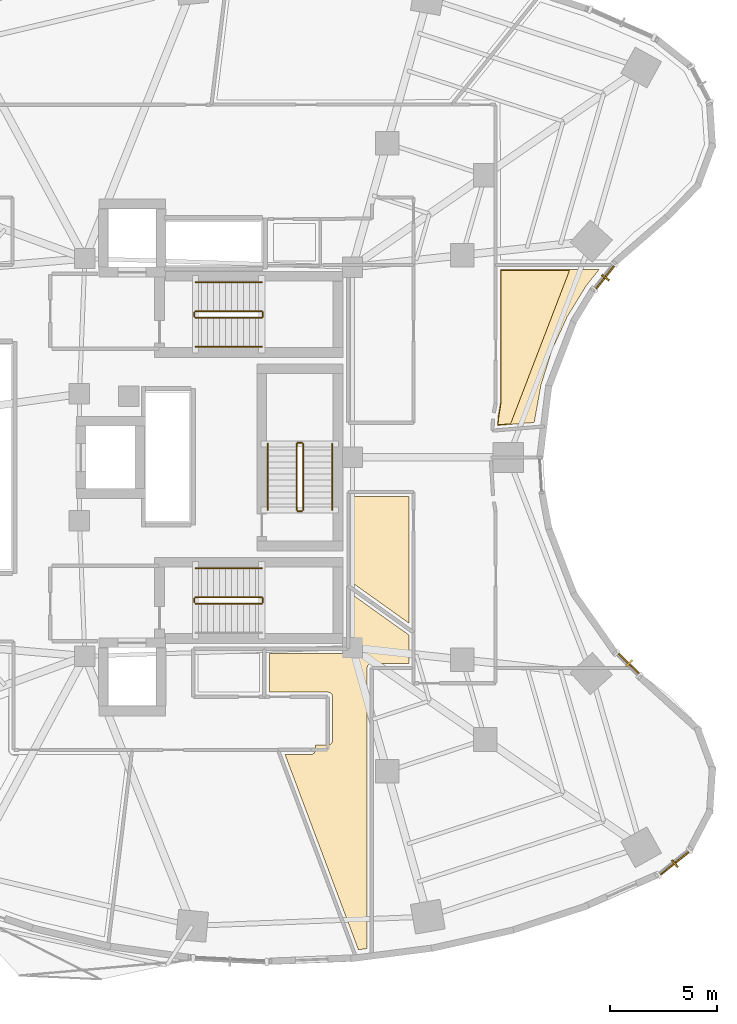
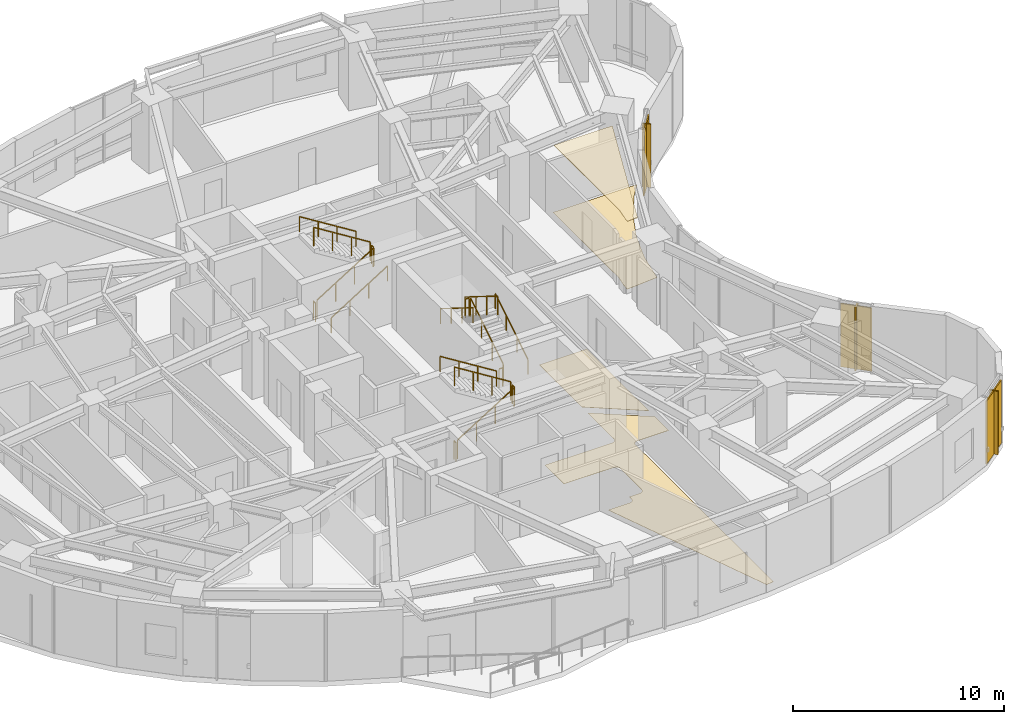
# One storey, part 15 of 16: 17 railings, 6 shading devices, 4 coverings.
"""IFC4 building model written with IfcOpenShell, lengths in metres."""

from ifc_helpers import new_model, si_unit, direction, frame, origin, origin_2d, place, context, subcontext, project, spatial, polyline, rectangle, outline, extrude, material, layer, layer_set, type_object, element, save


model = new_model("IFC4")

# Units and contexts
model_context = context("Model", 3, precision=1e-05, world=origin(), true_north=direction((0.0, 1.0)))
body_context = subcontext(model_context, "Body", "Model", "MODEL_VIEW")
ifc_project = project(units=[si_unit("LENGTHUNIT", "METRE"), si_unit("AREAUNIT", "SQUARE_METRE"), si_unit("VOLUMEUNIT", "CUBIC_METRE"), si_unit("PLANEANGLEUNIT", "RADIAN"), si_unit("MASSUNIT", "GRAM", prefix="KILO")], contexts=[model_context])

# Site, building, storey
site_placement = place(None, origin())
site = spatial("IfcSite", under=ifc_project, at=site_placement, CompositionType="ELEMENT")
building_placement = place(site_placement, origin())
building = spatial("IfcBuilding", under=site, at=building_placement, Name="Korentha Bioscience Tower", CompositionType="ELEMENT")
storey_placement = place(building_placement, frame((0.0, 0.0, 55.199951171875)))
storey = spatial("IfcBuildingStorey", under=building, at=storey_placement, Name="L12", CompositionType="ELEMENT", Elevation=55.199951171875)

# Railings
ifc_material_1 = material(Name="Stainless Steel 304", Category="steel")
railing_type_1 = type_object("IfcRailingType", Name="Brushed Stainless Stair Handrail 900", PredefinedType="HANDRAIL", material=ifc_material_1)
railing_1_placement = place(storey_placement, frame((30.25, 32.14990234375, 0.175048828125)))
element("IfcRailing", 1, at=railing_1_placement, inside=storey, type_object=railing_type_1, Name="L12 ST-1 stair handrail 1", PredefinedType="HANDRAIL", context=body_context, shape_type="SweptSolid", body=[
    extrude(rectangle(XDim=0.048095703125, YDim=0.048095703125, at=origin_2d()), frame((0.0, 0.0, 0.8759765625), z_axis=(0.847998304005, 0.0, 0.529998940003), x_axis=(0.0, 1.0, 0.0)), (0.0, 0.0, 1.0), 3.632080078125),
    extrude(rectangle(XDim=0.0419921875, YDim=0.0419921875, at=origin_2d()), origin(), (0.0, 0.0, 1.0), 0.851806640625),
    extrude(rectangle(XDim=0.0419921875, YDim=0.0419921875, at=origin_2d()), frame((1.026611328125, 0.0, 0.6416015625)), (0.0, 0.0, 1.0), 0.851806640625),
    extrude(rectangle(XDim=0.0419921875, YDim=0.0419921875, at=origin_2d()), frame((2.053466796875, 0.0, 1.283447265625)), (0.0, 0.0, 1.0), 0.851806640625),
    extrude(rectangle(XDim=0.0419921875, YDim=0.0419921875, at=origin_2d()), frame((3.080078125, 0.0, 1.925048828125)), (0.0, 0.0, 1.0), 0.851806640625),
])
for number, where, name in (
    (2, (33.330078125, 35.14990234375, 2.275146484375), "L12 ST-1 stair handrail 2"),
    (3, (33.330078125, 21.85009765625, 2.275146484375), "L12 ST-2 stair handrail 2"),
):
    element("IfcRailing", number, at=place(storey_placement, frame(where)), inside=storey, type_object=railing_type_1, Name=name, PredefinedType="HANDRAIL", context=body_context, shape_type="SweptSolid", body=[
        extrude(rectangle(XDim=0.048095703125, YDim=0.048095703125, at=origin_2d()), frame((0.0, 0.0, 0.8759765625), z_axis=(-0.848028513186, 0.0, 0.529950602248), x_axis=(0.0, -1.0, 0.0)), (0.0, 0.0, 1.0), 3.632080078125),
        extrude(rectangle(XDim=0.0419921875, YDim=0.0419921875, at=origin_2d()), origin(), (0.0, 0.0, 1.0), 0.851806640625),
        extrude(rectangle(XDim=0.0419921875, YDim=0.0419921875, at=origin_2d()), frame((-1.026611328125, 0.0, 0.6416015625)), (0.0, 0.0, 1.0), 0.851806640625),
        extrude(rectangle(XDim=0.0419921875, YDim=0.0419921875, at=origin_2d()), frame((-2.053466796875, 0.0, 1.283203125)), (0.0, 0.0, 1.0), 0.851806640625),
        extrude(rectangle(XDim=0.0419921875, YDim=0.0419921875, at=origin_2d()), frame((-3.080078125, 0.0, 1.9248046875)), (0.0, 0.0, 1.0), 0.851806640625),
    ])
railing_2_placement = place(storey_placement, frame((36.60009765625, 24.550048828125, 0.175048828125)))
element("IfcRailing", 4, at=railing_2_placement, inside=storey, type_object=railing_type_1, Name="L12 ST-3 stair handrail 1", PredefinedType="HANDRAIL", context=body_context, shape_type="SweptSolid", body=[
    extrude(rectangle(XDim=0.048095703125, YDim=0.048095703125, at=origin_2d()), frame((0.0, 0.0, 0.8759765625), z_axis=(0.0, 0.847979421464, 0.530029150871), x_axis=(-1.0, 0.0, 0.0)), (0.0, 0.0, 1.0), 3.632080078125),
    extrude(rectangle(XDim=0.0419921875, YDim=0.0419921875, at=origin_2d()), origin(), (0.0, 0.0, 1.0), 0.851806640625),
    extrude(rectangle(XDim=0.0419921875, YDim=0.0419921875, at=origin_2d()), frame((0.0, 1.026611328125, 0.6416015625)), (0.0, 0.0, 1.0), 0.851806640625),
    extrude(rectangle(XDim=0.0419921875, YDim=0.0419921875, at=origin_2d()), frame((0.0, 2.05322265625, 1.283447265625)), (0.0, 0.0, 1.0), 0.851806640625),
    extrude(rectangle(XDim=0.0419921875, YDim=0.0419921875, at=origin_2d()), frame((0.0, 3.079833984375, 1.925048828125)), (0.0, 0.0, 1.0), 0.851806640625),
])
railing_3_placement = place(storey_placement, frame((33.60009765625, 27.6298828125, 2.275146484375)))
element("IfcRailing", 5, at=railing_3_placement, inside=storey, type_object=railing_type_1, Name="L12 ST-3 stair handrail 2", PredefinedType="HANDRAIL", context=body_context, shape_type="SweptSolid", body=[
    extrude(rectangle(XDim=0.048095703125, YDim=0.048095703125, at=origin_2d()), frame((0.0, 0.0, 0.8759765625), z_axis=(0.0, -0.848009633417, 0.529980812513), x_axis=(1.0, 0.0, 0.0)), (0.0, 0.0, 1.0), 3.6318359375),
    extrude(rectangle(XDim=0.0419921875, YDim=0.0419921875, at=origin_2d()), origin(), (0.0, 0.0, 1.0), 0.851806640625),
    extrude(rectangle(XDim=0.0419921875, YDim=0.0419921875, at=origin_2d()), frame((0.0, -1.026611328125, 0.6416015625)), (0.0, 0.0, 1.0), 0.851806640625),
    extrude(rectangle(XDim=0.0419921875, YDim=0.0419921875, at=origin_2d()), frame((0.0, -2.05322265625, 1.283203125)), (0.0, 0.0, 1.0), 0.851806640625),
    extrude(rectangle(XDim=0.0419921875, YDim=0.0419921875, at=origin_2d()), frame((0.0, -3.079833984375, 1.9248046875)), (0.0, 0.0, 1.0), 0.851806640625),
])

# Covering
ifc_material_2 = material(Name="Antimicrobial Mineral Fibre Board", Category="gypsum")
ifc_layer_1 = layer(ifc_material_2, 0.034912109375, Name="Antimicrobial Mineral Fibre Board")
ifc_layer_set_1 = layer_set([ifc_layer_1], Name="Antimicrobial Mineral Fibre Board (CL-MF35)")
covering_type_1 = type_object("IfcCoveringType", Name="Mineral-Fibre Cleanroom Suspended Ceiling 35", PredefinedType="CEILING", material=ifc_layer_set_1)
covering_1_placement = place(storey_placement, frame((0.0, 0.0, 3.864990234375)))
element("IfcCovering", 6, at=covering_1_placement, inside=storey, type_object=covering_type_1, Name="L12 Staff Kitchenette and Dining Nook 11 Acoustic Ceiling", PredefinedType="CEILING", context=body_context, shape_type="SweptSolid", body=[
    extrude(outline(polyline([(44.339599609375, 28.763916015625), (44.4599609375, 29.529541015625), (44.4599609375, 35.697998046875), (47.64697265625, 35.697998046875), (44.906982421875, 28.56298828125), (44.32421875, 28.514892578125), (44.339599609375, 28.763916015625)])), origin(), (0.0, 0.0, 1.0), 0.03515625),
])

# Railings
ifc_material_3 = material(Name="Painted Steel S275", Category="steel")
railing_type_2 = type_object("IfcRailingType", Name="Painted Steel Stair Well Guardrail 1100", PredefinedType="GUARDRAIL", material=ifc_material_3)
railing_4_placement = place(storey_placement, frame((30.25, 33.5, 0.175048828125)))
element("IfcRailing", 7, at=railing_4_placement, inside=storey, type_object=railing_type_2, Name="L12 ST-1 stair guard 1", PredefinedType="GUARDRAIL", context=body_context, shape_type="SweptSolid", body=[
    extrude(rectangle(XDim=0.048095703125, YDim=0.048095703125, at=origin_2d()), frame((0.0, 0.0, 1.076171875), z_axis=(0.847998304005, 0.0, 0.529998940003), x_axis=(0.0, 1.0, 0.0)), (0.0, 0.0, 1.0), 3.632080078125),
    extrude(rectangle(XDim=0.0419921875, YDim=0.0419921875, at=origin_2d()), origin(), (0.0, 0.0, 1.0), 1.052001953125),
    extrude(rectangle(XDim=0.0419921875, YDim=0.0419921875, at=origin_2d()), frame((1.026611328125, 0.0, 0.6416015625)), (0.0, 0.0, 1.0), 1.052001953125),
    extrude(rectangle(XDim=0.0419921875, YDim=0.0419921875, at=origin_2d()), frame((2.053466796875, 0.0, 1.283447265625)), (0.0, 0.0, 1.0), 1.052001953125),
    extrude(rectangle(XDim=0.0419921875, YDim=0.0419921875, at=origin_2d()), frame((3.080078125, 0.0, 1.925048828125)), (0.0, 0.0, 1.0), 1.052001953125),
])
railing_5_placement = place(storey_placement, frame((33.3798828125, 33.550048828125, 2.10009765625)))
element("IfcRailing", 8, at=railing_5_placement, inside=storey, type_object=railing_type_2, Name="L12 ST-1 stair guard 2", PredefinedType="GUARDRAIL", context=body_context, shape_type="SweptSolid", body=[
    extrude(rectangle(XDim=0.048095703125, YDim=0.048095703125, at=origin_2d()), frame((0.0, 0.0, 1.076171875), z_axis=(0.0, 1.0, 0.0), x_axis=(-1.0, 0.0, 0.0)), (0.0, 0.0, 1.0), 0.199951171875),
    extrude(rectangle(XDim=0.0419921875, YDim=0.0419921875, at=origin_2d()), origin(), (0.0, 0.0, 1.0), 1.052001953125),
    extrude(rectangle(XDim=0.0419921875, YDim=0.0419921875, at=origin_2d()), frame((0.0, 0.199951171875, 0.0)), (0.0, 0.0, 1.0), 1.052001953125),
])
railing_6_placement = place(storey_placement, frame((33.330078125, 33.800048828125, 2.275146484375)))
element("IfcRailing", 9, at=railing_6_placement, inside=storey, type_object=railing_type_2, Name="L12 ST-1 stair guard 3", PredefinedType="GUARDRAIL", context=body_context, shape_type="SweptSolid", body=[
    extrude(rectangle(XDim=0.048095703125, YDim=0.048095703125, at=origin_2d()), frame((0.0, 0.0, 1.076171875), z_axis=(-0.848028513186, 0.0, 0.529950602248), x_axis=(0.0, -1.0, 0.0)), (0.0, 0.0, 1.0), 3.632080078125),
    extrude(rectangle(XDim=0.0419921875, YDim=0.0419921875, at=origin_2d()), origin(), (0.0, 0.0, 1.0), 1.052001953125),
    extrude(rectangle(XDim=0.0419921875, YDim=0.0419921875, at=origin_2d()), frame((-1.026611328125, 0.0, 0.6416015625)), (0.0, 0.0, 1.0), 1.052001953125),
    extrude(rectangle(XDim=0.0419921875, YDim=0.0419921875, at=origin_2d()), frame((-2.053466796875, 0.0, 1.283203125)), (0.0, 0.0, 1.0), 1.052001953125),
    extrude(rectangle(XDim=0.0419921875, YDim=0.0419921875, at=origin_2d()), frame((-3.080078125, 0.0, 1.9248046875)), (0.0, 0.0, 1.0), 1.052001953125),
])
railing_7_placement = place(storey_placement, frame((30.199951171875, 33.550048828125, 0.0)))
element("IfcRailing", 10, at=railing_7_placement, inside=storey, type_object=railing_type_2, Name="L12 ST-1 stair guard 4", PredefinedType="GUARDRAIL", context=body_context, shape_type="SweptSolid", body=[
    extrude(rectangle(XDim=0.048095703125, YDim=0.048095703125, at=origin_2d()), frame((0.0, 0.0, 1.076171875), z_axis=(0.0, 1.0, 0.0), x_axis=(-1.0, 0.0, 0.0)), (0.0, 0.0, 1.0), 0.199951171875),
    extrude(rectangle(XDim=0.0419921875, YDim=0.0419921875, at=origin_2d()), origin(), (0.0, 0.0, 1.0), 1.052001953125),
    extrude(rectangle(XDim=0.0419921875, YDim=0.0419921875, at=origin_2d()), frame((0.0, 0.199951171875, 0.0)), (0.0, 0.0, 1.0), 1.052001953125),
])
railing_8_placement = place(storey_placement, frame((30.25, 20.199951171875, 0.175048828125)))
element("IfcRailing", 11, at=railing_8_placement, inside=storey, type_object=railing_type_2, Name="L12 ST-2 stair guard 1", PredefinedType="GUARDRAIL", context=body_context, shape_type="SweptSolid", body=[
    extrude(rectangle(XDim=0.048095703125, YDim=0.048095703125, at=origin_2d()), frame((0.0, 0.0, 1.076171875), z_axis=(0.847998304005, 0.0, 0.529998940003), x_axis=(0.0, 1.0, 0.0)), (0.0, 0.0, 1.0), 3.632080078125),
    extrude(rectangle(XDim=0.0419921875, YDim=0.0419921875, at=origin_2d()), origin(), (0.0, 0.0, 1.0), 1.052001953125),
    extrude(rectangle(XDim=0.0419921875, YDim=0.0419921875, at=origin_2d()), frame((1.026611328125, 0.0, 0.6416015625)), (0.0, 0.0, 1.0), 1.052001953125),
    extrude(rectangle(XDim=0.0419921875, YDim=0.0419921875, at=origin_2d()), frame((2.053466796875, 0.0, 1.283447265625)), (0.0, 0.0, 1.0), 1.052001953125),
    extrude(rectangle(XDim=0.0419921875, YDim=0.0419921875, at=origin_2d()), frame((3.080078125, 0.0, 1.925048828125)), (0.0, 0.0, 1.0), 1.052001953125),
])
railing_9_placement = place(storey_placement, frame((33.3798828125, 20.25, 2.10009765625)))
element("IfcRailing", 12, at=railing_9_placement, inside=storey, type_object=railing_type_2, Name="L12 ST-2 stair guard 2", PredefinedType="GUARDRAIL", context=body_context, shape_type="SweptSolid", body=[
    extrude(rectangle(XDim=0.048095703125, YDim=0.048095703125, at=origin_2d()), frame((0.0, 0.0, 1.076171875), z_axis=(0.0, 1.0, 0.0), x_axis=(-1.0, 0.0, 0.0)), (0.0, 0.0, 1.0), 0.199951171875),
    extrude(rectangle(XDim=0.0419921875, YDim=0.0419921875, at=origin_2d()), origin(), (0.0, 0.0, 1.0), 1.052001953125),
    extrude(rectangle(XDim=0.0419921875, YDim=0.0419921875, at=origin_2d()), frame((0.0, 0.199951171875, 0.0)), (0.0, 0.0, 1.0), 1.052001953125),
])
railing_10_placement = place(storey_placement, frame((33.330078125, 20.5, 2.275146484375)))
element("IfcRailing", 13, at=railing_10_placement, inside=storey, type_object=railing_type_2, Name="L12 ST-2 stair guard 3", PredefinedType="GUARDRAIL", context=body_context, shape_type="SweptSolid", body=[
    extrude(rectangle(XDim=0.048095703125, YDim=0.048095703125, at=origin_2d()), frame((0.0, 0.0, 1.076171875), z_axis=(-0.848028513186, 0.0, 0.529950602248), x_axis=(0.0, -1.0, 0.0)), (0.0, 0.0, 1.0), 3.632080078125),
    extrude(rectangle(XDim=0.0419921875, YDim=0.0419921875, at=origin_2d()), origin(), (0.0, 0.0, 1.0), 1.052001953125),
    extrude(rectangle(XDim=0.0419921875, YDim=0.0419921875, at=origin_2d()), frame((-1.026611328125, 0.0, 0.6416015625)), (0.0, 0.0, 1.0), 1.052001953125),
    extrude(rectangle(XDim=0.0419921875, YDim=0.0419921875, at=origin_2d()), frame((-2.053466796875, 0.0, 1.283203125)), (0.0, 0.0, 1.0), 1.052001953125),
    extrude(rectangle(XDim=0.0419921875, YDim=0.0419921875, at=origin_2d()), frame((-3.080078125, 0.0, 1.9248046875)), (0.0, 0.0, 1.0), 1.052001953125),
])
railing_11_placement = place(storey_placement, frame((30.199951171875, 20.25, 0.0)))
element("IfcRailing", 14, at=railing_11_placement, inside=storey, type_object=railing_type_2, Name="L12 ST-2 stair guard 4", PredefinedType="GUARDRAIL", context=body_context, shape_type="SweptSolid", body=[
    extrude(rectangle(XDim=0.048095703125, YDim=0.048095703125, at=origin_2d()), frame((0.0, 0.0, 1.076171875), z_axis=(0.0, 1.0, 0.0), x_axis=(-1.0, 0.0, 0.0)), (0.0, 0.0, 1.0), 0.199951171875),
    extrude(rectangle(XDim=0.0419921875, YDim=0.0419921875, at=origin_2d()), origin(), (0.0, 0.0, 1.0), 1.052001953125),
    extrude(rectangle(XDim=0.0419921875, YDim=0.0419921875, at=origin_2d()), frame((0.0, 0.199951171875, 0.0)), (0.0, 0.0, 1.0), 1.052001953125),
])
railing_12_placement = place(storey_placement, frame((35.25, 24.550048828125, 0.175048828125)))
element("IfcRailing", 15, at=railing_12_placement, inside=storey, type_object=railing_type_2, Name="L12 ST-3 stair guard 1", PredefinedType="GUARDRAIL", context=body_context, shape_type="SweptSolid", body=[
    extrude(rectangle(XDim=0.048095703125, YDim=0.048095703125, at=origin_2d()), frame((0.0, 0.0, 1.076171875), z_axis=(0.0, 0.847979421464, 0.530029150871), x_axis=(-1.0, 0.0, 0.0)), (0.0, 0.0, 1.0), 3.632080078125),
    extrude(rectangle(XDim=0.0419921875, YDim=0.0419921875, at=origin_2d()), origin(), (0.0, 0.0, 1.0), 1.052001953125),
    extrude(rectangle(XDim=0.0419921875, YDim=0.0419921875, at=origin_2d()), frame((0.0, 1.026611328125, 0.6416015625)), (0.0, 0.0, 1.0), 1.052001953125),
    extrude(rectangle(XDim=0.0419921875, YDim=0.0419921875, at=origin_2d()), frame((0.0, 2.05322265625, 1.283447265625)), (0.0, 0.0, 1.0), 1.052001953125),
    extrude(rectangle(XDim=0.0419921875, YDim=0.0419921875, at=origin_2d()), frame((0.0, 3.079833984375, 1.925048828125)), (0.0, 0.0, 1.0), 1.052001953125),
])
railing_13_placement = place(storey_placement, frame((35.199951171875, 27.679931640625, 2.10009765625)))
element("IfcRailing", 16, at=railing_13_placement, inside=storey, type_object=railing_type_2, Name="L12 ST-3 stair guard 2", PredefinedType="GUARDRAIL", context=body_context, shape_type="SweptSolid", body=[
    extrude(rectangle(XDim=0.048095703125, YDim=0.048095703125, at=origin_2d()), frame((0.0, 0.0, 1.076171875), z_axis=(-1.0, 0.0, 0.0), x_axis=(0.0, -1.0, 0.0)), (0.0, 0.0, 1.0), 0.199951171875),
    extrude(rectangle(XDim=0.0419921875, YDim=0.0419921875, at=origin_2d()), origin(), (0.0, 0.0, 1.0), 1.052001953125),
    extrude(rectangle(XDim=0.0419921875, YDim=0.0419921875, at=origin_2d()), frame((-0.199951171875, 0.0, 0.0)), (0.0, 0.0, 1.0), 1.052001953125),
])
railing_14_placement = place(storey_placement, frame((34.949951171875, 27.6298828125, 2.275146484375)))
element("IfcRailing", 17, at=railing_14_placement, inside=storey, type_object=railing_type_2, Name="L12 ST-3 stair guard 3", PredefinedType="GUARDRAIL", context=body_context, shape_type="SweptSolid", body=[
    extrude(rectangle(XDim=0.048095703125, YDim=0.048095703125, at=origin_2d()), frame((0.0, 0.0, 1.076171875), z_axis=(0.0, -0.848009633417, 0.529980812513), x_axis=(1.0, 0.0, 0.0)), (0.0, 0.0, 1.0), 3.6318359375),
    extrude(rectangle(XDim=0.0419921875, YDim=0.0419921875, at=origin_2d()), origin(), (0.0, 0.0, 1.0), 1.052001953125),
    extrude(rectangle(XDim=0.0419921875, YDim=0.0419921875, at=origin_2d()), frame((0.0, -1.026611328125, 0.6416015625)), (0.0, 0.0, 1.0), 1.052001953125),
    extrude(rectangle(XDim=0.0419921875, YDim=0.0419921875, at=origin_2d()), frame((0.0, -2.05322265625, 1.283203125)), (0.0, 0.0, 1.0), 1.052001953125),
    extrude(rectangle(XDim=0.0419921875, YDim=0.0419921875, at=origin_2d()), frame((0.0, -3.079833984375, 1.9248046875)), (0.0, 0.0, 1.0), 1.052001953125),
])
railing_15_placement = place(storey_placement, frame((35.199951171875, 24.5, 0.0)))
element("IfcRailing", 18, at=railing_15_placement, inside=storey, type_object=railing_type_2, Name="L12 ST-3 stair guard 4", PredefinedType="GUARDRAIL", context=body_context, shape_type="SweptSolid", body=[
    extrude(rectangle(XDim=0.048095703125, YDim=0.048095703125, at=origin_2d()), frame((0.0, 0.0, 1.076171875), z_axis=(-1.0, 0.0, 0.0), x_axis=(0.0, -1.0, 0.0)), (0.0, 0.0, 1.0), 0.199951171875),
    extrude(rectangle(XDim=0.0419921875, YDim=0.0419921875, at=origin_2d()), origin(), (0.0, 0.0, 1.0), 1.052001953125),
    extrude(rectangle(XDim=0.0419921875, YDim=0.0419921875, at=origin_2d()), frame((-0.199951171875, 0.0, 0.0)), (0.0, 0.0, 1.0), 1.052001953125),
])

# Shading devices
ifc_material_4 = material(Name="Perforated Stone-Ceramic Composite", Category="masonry")
ifc_layer_2 = layer(ifc_material_4, 0.06494140625, Name="Perforated Stone-Ceramic Composite")
ifc_layer_set_2 = layer_set([ifc_layer_2], Name="Perforated Stone-Ceramic Composite (CS-01)")
shading_device_type_1 = type_object("IfcShadingDeviceType", Name="Perforated Stone-Ceramic Solar Screen Panel 65", PredefinedType="USERDEFINED", material=ifc_layer_set_2)
shading_device_placement = place(storey_placement, frame((52.5380859375, 8.11328125, 0.0), z_axis=(0.0, 0.0, 1.0), x_axis=(0.782287851332, 0.62291710336, 0.0)))
element("IfcShadingDevice", 19, at=shading_device_placement, inside=storey, type_object=shading_device_type_1, Name="CW-L12-37 Perforated Stone-Ceramic Solar Screen", ObjectType="SCREEN", PredefinedType="USERDEFINED", context=body_context, shape_type="SweptSolid", body=[
    extrude(rectangle(XDim=1.927734375, YDim=0.06494140625, at=origin_2d()), origin(), (0.0, 0.0, 1.0), 3.64990234375),
])
for number, where, z_axis, x_axis, name in (
    (20, (50.4033203125, 17.406982421875, 0.0), (0.0, 0.0, 1.0), (-0.713279246754, 0.700879958445, 0.0), "CW-L12-43 Perforated Stone-Ceramic Solar Screen"),
    (21, (49.3046875, 35.37255859375, 0.0), (0.0, 0.0, 1.0), (0.622520324648, 0.782603632371, 0.0), "CW-L12-55 Perforated Stone-Ceramic Solar Screen"),
):
    element("IfcShadingDevice", number, at=place(storey_placement, frame(where, z_axis=z_axis, x_axis=x_axis)), inside=storey, type_object=shading_device_type_1, Name=name, ObjectType="SCREEN", PredefinedType="USERDEFINED", context=body_context, shape_type="SweptSolid", body=[
        extrude(rectangle(XDim=1.537841796875, YDim=0.06494140625, at=origin_2d()), origin(), (0.0, 0.0, 1.0), 3.64990234375),
    ])

# Coverings
ifc_material_5 = material(Name="Chemical-Resistant Epoxy Resin", Category="polymer")
ifc_layer_3 = layer(ifc_material_5, 0.011962890625, Name="Chemical-Resistant Epoxy Resin")
ifc_layer_set_3 = layer_set([ifc_layer_3], Name="Chemical-Resistant Epoxy Resin (FL-EPX)")
covering_type_2 = type_object("IfcCoveringType", Name="Seamless Epoxy Laboratory Flooring 12", PredefinedType="FLOORING", material=ifc_layer_set_3)
covering_2_placement = place(storey_placement, origin())
element("IfcCovering", 22, at=covering_2_placement, inside=storey, type_object=covering_type_2, Name="L12 Ultrapure Water Polisher Plant Alcove 07 Floor Finish", PredefinedType="FLOORING", context=body_context, shape_type="SweptSolid", body=[
    extrude(outline(polyline([(34.41552734375, 13.169921875), (35.655517578125, 13.1767578125), (35.754150390625, 13.229248046875), (35.81640625, 13.322021484375), (35.830078125, 13.6201171875), (36.433349609375, 13.622314453125), (36.517822265625, 13.652587890625), (36.58447265625, 13.712646484375), (36.6298828125, 13.85009765625), (36.62744140625, 15.88427734375), (36.597412109375, 15.9677734375), (36.55419921875, 16.020751953125), (36.497802734375, 16.05810546875), (36.411865234375, 16.07958984375), (33.679931640625, 16.080078125), (33.679931640625, 17.8701171875), (37.35009765625, 17.8701171875), (37.486572265625, 17.9150390625), (37.5576171875, 18.001220703125), (37.57958984375, 18.089111328125), (37.580078125, 20.58837890625), (40.169921875, 18.740966796875), (40.169921875, 17.422119140625), (38.42431640625, 17.42041015625), (38.3037109375, 17.36572265625), (38.250244140625, 17.29541015625), (38.23046875, 17.231201171875), (38.22802734375, 4.148681640625), (37.825927734375, 4.0966796875), (34.41552734375, 13.169921875)])), origin(), (0.0, 0.0, 1.0), 0.011962890625),
])
covering_3_placement = place(storey_placement, origin())
element("IfcCovering", 23, at=covering_3_placement, inside=storey, type_object=covering_type_2, Name="L12 Data Visualization Collaboration Hub 09 Floor Finish", PredefinedType="FLOORING", context=body_context, shape_type="SweptSolid", body=[
    extrude(outline(polyline([(40.169921875, 19.293701171875), (37.585693359375, 21.13720703125), (37.580322265625, 25.169921875), (40.169921875, 25.169921875), (40.169921875, 19.293701171875)])), origin(), (0.0, 0.0, 1.0), 0.011962890625),
])
covering_4_placement = place(storey_placement, origin())
element("IfcCovering", 24, at=covering_4_placement, inside=storey, type_object=covering_type_2, Name="L12 Staff Kitchenette and Dining Nook 11 Floor Finish", PredefinedType="FLOORING", context=body_context, shape_type="SweptSolid", body=[
    extrude(outline(polyline([(46.83984375, 32.0126953125), (46.314208984375, 30.344970703125), (46.00390625, 28.623046875), (44.292236328125, 28.482177734375), (44.324462890625, 28.918212890625), (44.429931640625, 29.529541015625), (44.429931640625, 35.72802734375), (49.01220703125, 35.72802734375), (48.410400390625, 34.966552734375), (47.544189453125, 33.552490234375), (46.83984375, 32.0126953125)])), origin(), (0.0, 0.0, 1.0), 0.011962890625),
])

# Shading devices
ifc_material_6 = material(Name="Honed Travertine Limestone", Category="masonry")
ifc_layer_4 = layer(ifc_material_6, 0.080078125, Name="Honed Travertine Limestone")
ifc_layer_set_4 = layer_set([ifc_layer_4], Name="Honed Travertine Limestone (CS-02)")
shading_device_type_2 = type_object("IfcShadingDeviceType", Name="Vertical Honed Limestone Sunshade Fin 80x420", PredefinedType="USERDEFINED", material=ifc_layer_set_4)
for number, where, z_axis, x_axis, name in (
    (25, (52.550537109375, 8.09765625, 0.0), (0.0, 0.0, 1.0), (0.782287851332, 0.62291710336, 0.0), "CW-L12-37 Limestone Sunshade Fin"),
    (26, (50.41748046875, 17.42138671875, 0.0), (0.0, 0.0, 1.0), (-0.713279246754, 0.700879958445, 0.0), "CW-L12-43 Limestone Sunshade Fin"),
    (27, (49.3203125, 35.360107421875, 0.0), (0.0, 0.0, 1.0), (0.622520324648, 0.782603632371, 0.0), "CW-L12-55 Limestone Sunshade Fin"),
):
    element("IfcShadingDevice", number, at=place(storey_placement, frame(where, z_axis=z_axis, x_axis=x_axis)), inside=storey, type_object=shading_device_type_2, Name=name, ObjectType="SCREEN", PredefinedType="USERDEFINED", context=body_context, shape_type="SweptSolid", body=[
        extrude(rectangle(XDim=0.080078125, YDim=0.419921875, at=origin_2d()), origin(), (0.0, 0.0, 1.0), 3.64990234375),
    ])

save(model, "model.ifc")
